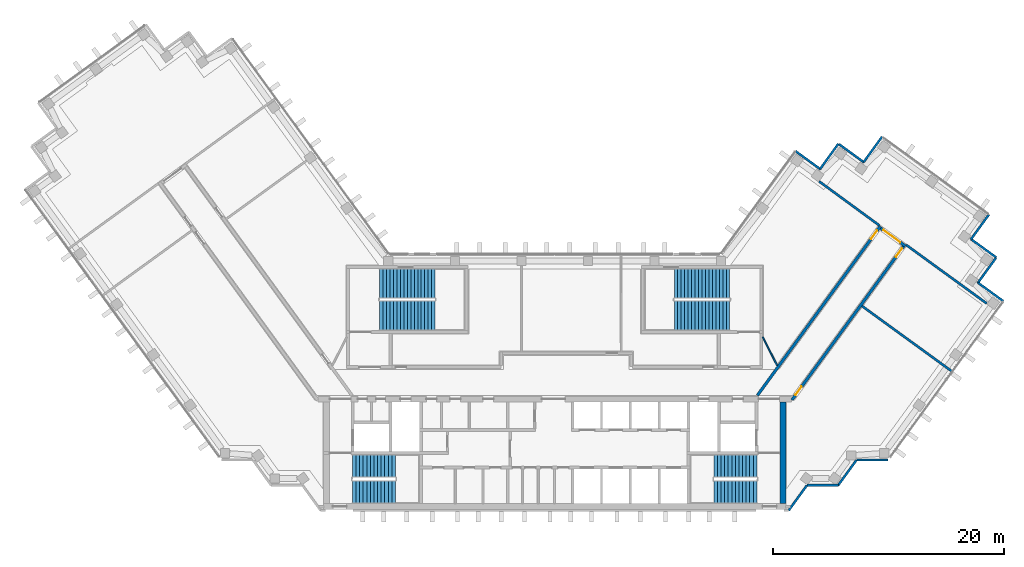
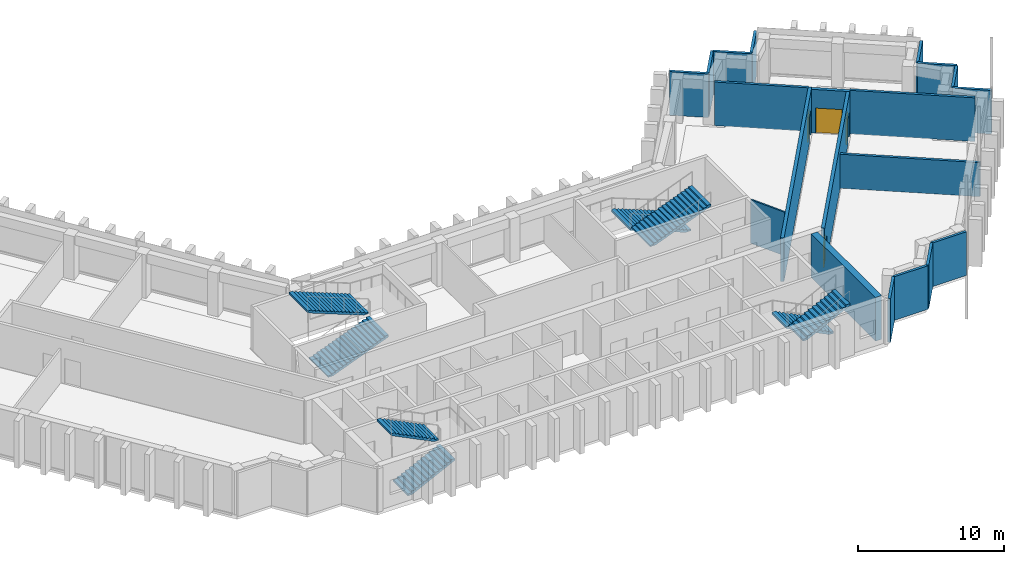
# One storey, part 7 of 9: 20 walls, 8 stair flights, 4 doors, 4 openings, 4 elements without a shape of their own.
"""IFC4 building model written with IfcOpenShell, lengths in metres."""

from ifc_helpers import new_model, si_unit, direction, frame, frame_2d, origin, place, context, subcontext, project, spatial, polyline, rectangle, outline, extrude, material, layer, layer_set, type_object, element, fill, aggregate, save


model = new_model("IFC4")

# Units and contexts
model_context = context("Model", 3, precision=1e-05, world=origin(), true_north=direction((0.0, 1.0)))
body_context = subcontext(model_context, "Body", "Model", "MODEL_VIEW")
ifc_project = project(units=[si_unit("LENGTHUNIT", "METRE"), si_unit("AREAUNIT", "SQUARE_METRE"), si_unit("VOLUMEUNIT", "CUBIC_METRE"), si_unit("PLANEANGLEUNIT", "RADIAN"), si_unit("MASSUNIT", "GRAM", prefix="KILO")], contexts=[model_context])

# Site, building, storey
site_placement = place(None, origin())
site = spatial("IfcSite", under=ifc_project, at=site_placement, CompositionType="ELEMENT")
building_placement = place(site_placement, origin())
building = spatial("IfcBuilding", under=site, at=building_placement, Name="Quipu Civic Tower", CompositionType="ELEMENT")
storey_placement = place(building_placement, frame((0.0, 0.0, 214.0)))
storey = spatial("IfcBuildingStorey", under=building, at=storey_placement, Name="L50", CompositionType="ELEMENT", Elevation=214.0)

# Walls
ifc_material_1 = material(Name="Fired clay blockwork", Category="masonry")
ifc_layer_1 = layer(ifc_material_1, 0.199951171875)
ifc_layer_set_1 = layer_set([ifc_layer_1], Name="Fired clay blockwork")
wall_type_1 = type_object("IfcWallType", Name="Blockwork wall 200", PredefinedType="SOLIDWALL", material=ifc_layer_set_1)
wall_1_placement = place(storey_placement, frame((34.40283203125, 0.937744140625, 0.0), z_axis=(0.0, 0.0, 1.0), x_axis=(-0.808990890476, 0.587821179549, 0.0)))
element("IfcWall", 1, at=wall_1_placement, inside=storey, type_object=wall_type_1, Name="Partition P06", PredefinedType="SOLIDWALL", context=body_context, shape_type="SweptSolid", body=[
    extrude(rectangle(XDim=9.651123046875, YDim=0.199951171875, at=frame_2d((4.82568359375, 0.0))), origin(), (0.0, 0.0, 1.0), 2.85009765625),
])
wall_2_placement = place(storey_placement, frame((22.884033203125, 17.400634765625, 0.0), z_axis=(0.0, 0.0, 1.0), x_axis=(0.80698686941, -0.590569380005, 0.0)))
element("IfcWall", 2, at=wall_2_placement, inside=storey, type_object=wall_type_1, Name="Partition P08", PredefinedType="SOLIDWALL", context=body_context, shape_type="SweptSolid", body=[
    extrude(rectangle(XDim=6.465087890625, YDim=0.199951171875, at=frame_2d((3.232421875, 0.0))), origin(), (0.0, 0.0, 1.0), 3.64990234375),
])
wall_3_placement = place(storey_placement, frame((30.414794921875, 11.901611328125, 0.0), z_axis=(0.0, 0.0, 1.0), x_axis=(0.809012783133, -0.587791048526, 0.0)))
element("IfcWall", 3, at=wall_3_placement, inside=storey, type_object=wall_type_1, Name="Partition P09", PredefinedType="SOLIDWALL", context=body_context, shape_type="SweptSolid", body=[
    extrude(rectangle(XDim=8.6201171875, YDim=0.199951171875, at=frame_2d((4.31005859375, 0.0))), origin(), (0.0, 0.0, 1.0), 3.64990234375),
])
ifc_material_2 = material(Name="Concrete C70/85", Category="concrete")
ifc_layer_2 = layer(ifc_material_2, 0.5)
ifc_layer_set_2 = layer_set([ifc_layer_2], Name="Concrete C70/85")
wall_type_2 = type_object("IfcWallType", Name="Core wall 500", PredefinedType="SHEAR", material=ifc_layer_set_2)
wall_4_placement = place(storey_placement, frame((19.75, -10.5, 0.0), z_axis=(0.0, 0.0, 1.0), x_axis=(0.0, 1.0, 0.0)))
element("IfcWall", 4, at=wall_4_placement, inside=storey, type_object=wall_type_2, Name="Core wall", PredefinedType="SHEAR", context=body_context, shape_type="SweptSolid", body=[
    extrude(rectangle(XDim=8.800048828125, YDim=0.5, at=frame_2d((4.39990234375, 0.0))), origin(), (0.0, 0.0, 1.0), 3.64990234375),
])

# Wall, opening, door
ifc_material_3 = material(Name="Concrete C50/60", Category="concrete")
ifc_layer_3 = layer(ifc_material_3, 0.25)
ifc_layer_set_3 = layer_set([ifc_layer_3], Name="Concrete C50/60")
wall_type_3 = type_object("IfcWallType", Name="Corridor wall 250 concrete", PredefinedType="SOLIDWALL", material=ifc_layer_set_3)
wall_5_placement = place(storey_placement, frame((17.544921875, -1.124755859375, 0.0), z_axis=(0.0, 0.0, 1.0), x_axis=(0.58779555165, 0.809009511354, 0.0)))
wall_5 = element("IfcWall", 5, at=wall_5_placement, inside=storey, type_object=wall_type_3, Name="Corridor wall C01", PredefinedType="SOLIDWALL", context=body_context, shape_type="SweptSolid", body=[
    extrude(rectangle(XDim=18.10302734375, YDim=0.25, at=frame_2d((9.051513671875, 0.0))), origin(), (0.0, 0.0, 1.0), 3.64990234375),
])
opening_1_placement = place(wall_5_placement, frame((16.72802734375, 0.0, 0.0)))
opening_1 = element("IfcOpeningElement", 6, at=opening_1_placement, cuts=wall_5, Name="Opening D001", PredefinedType="OPENING", context=body_context, shape_type="SweptSolid", body=[
    extrude(rectangle(XDim=0.89990234375, YDim=2.10009765625, at=frame_2d((0.449951171875, 1.050048828125))), frame((0.0, 0.135009765625, 0.0), z_axis=(0.0, -1.0, 0.0), x_axis=(1.0, 0.0, 0.0)), (0.0, 0.0, 1.0), 0.27001953125),
])
ifc_material_4 = material(Name="Fire rated timber door set with metal frame", Category="wood")
door_type_1 = type_object("IfcDoorType", Name="Single door 900 x 2100 FD60", OperationType="NOTDEFINED", PredefinedType="DOOR", material=ifc_material_4)
door_1_placement = place(opening_1_placement, origin())
door_1 = element("IfcDoor", 7, at=door_1_placement, inside=storey, type_object=door_type_1, Name="Door D001", OperationType="SINGLE_SWING_RIGHT", OverallHeight=2.10009765625, OverallWidth=0.89990234375, PredefinedType="DOOR", context=body_context, shape_type="SweptSolid", body=[
    extrude(rectangle(XDim=0.89990234375, YDim=2.10009765625, at=frame_2d((0.449951171875, 1.050048828125))), frame((0.0, 0.02490234375, 0.0), z_axis=(0.0, -1.0, 0.0), x_axis=(1.0, 0.0, 0.0)), (0.0, 0.0, 1.0), 0.050048828125),
])
fill(opening_1, door_1)

wall_6_placement = place(storey_placement, frame((28.21337890625, 13.34619140625, 0.0), z_axis=(0.0, 0.0, 1.0), x_axis=(0.809006914995, -0.587799125119, 0.0)))
wall_6 = element("IfcWall", 8, at=wall_6_placement, inside=storey, type_object=wall_type_3, Name="Corridor wall C02", PredefinedType="SOLIDWALL", context=body_context, shape_type="SweptSolid", body=[
    extrude(rectangle(XDim=2.64990234375, YDim=0.25, at=frame_2d((1.324951171875, 0.0))), origin(), (0.0, 0.0, 1.0), 3.64990234375),
])
opening_2_placement = place(wall_6_placement, frame((0.30029296875, 0.0, 0.0)))
opening_2 = element("IfcOpeningElement", 9, at=opening_2_placement, cuts=wall_6, Name="Opening D004", PredefinedType="OPENING", context=body_context, shape_type="SweptSolid", body=[
    extrude(rectangle(XDim=1.800048828125, YDim=2.10009765625, at=frame_2d((0.89990234375, 1.050048828125))), frame((0.0, 0.135009765625, 0.0), z_axis=(0.0, -1.0, 0.0), x_axis=(1.0, 0.0, 0.0)), (0.0, 0.0, 1.0), 0.27001953125),
])
ifc_material_5 = material(Name="Fire rated timber door set with metal frame", Category="wood")
door_type_2 = type_object("IfcDoorType", Name="Double door 1800 x 2100 FD60", OperationType="DOUBLE_DOOR_SINGLE_SWING", PredefinedType="DOOR", material=ifc_material_5)
door_2_placement = place(opening_2_placement, origin())
door_2 = element("IfcDoor", 10, at=door_2_placement, inside=storey, type_object=door_type_2, Name="Door D004", OperationType="DOUBLE_DOOR_SINGLE_SWING", OverallHeight=2.10009765625, OverallWidth=1.800048828125, PredefinedType="DOOR", context=body_context, shape_type="SweptSolid", body=[
    extrude(rectangle(XDim=1.800048828125, YDim=2.10009765625, at=frame_2d((0.89990234375, 1.050048828125))), frame((0.0, 0.02490234375, 0.0), z_axis=(0.0, -1.0, 0.0), x_axis=(1.0, 0.0, 0.0)), (0.0, 0.0, 1.0), 0.050048828125),
])
fill(opening_2, door_2)

# Wall, openings, doors
wall_7_placement = place(storey_placement, frame((30.1826171875, 11.760986328125, 0.0), z_axis=(0.0, 0.0, 1.0), x_axis=(-0.587781762867, -0.80901952958, 0.0)))
wall_7 = element("IfcWall", 11, at=wall_7_placement, inside=storey, type_object=wall_type_3, Name="Corridor wall C03", PredefinedType="SOLIDWALL", context=body_context, shape_type="SweptSolid", body=[
    extrude(rectangle(XDim=16.42041015625, YDim=0.25, at=frame_2d((8.210205078125, 0.0))), origin(), (0.0, 0.0, 1.0), 3.64990234375),
])
opening_3_placement = place(wall_7_placement, frame((14.987548828125, 0.0, 0.0)))
opening_3 = element("IfcOpeningElement", 12, at=opening_3_placement, cuts=wall_7, Name="Opening D002", PredefinedType="OPENING", context=body_context, shape_type="SweptSolid", body=[
    extrude(rectangle(XDim=0.89990234375, YDim=2.10009765625, at=frame_2d((0.449951171875, 1.050048828125))), frame((0.0, 0.135009765625, 0.0), z_axis=(0.0, -1.0, 0.0), x_axis=(1.0, 0.0, 0.0)), (0.0, 0.0, 1.0), 0.27001953125),
])
opening_4_placement = place(wall_7_placement, frame((0.224609375, 0.0, 0.0)))
opening_4 = element("IfcOpeningElement", 13, at=opening_4_placement, cuts=wall_7, Name="Opening D003", PredefinedType="OPENING", context=body_context, shape_type="SweptSolid", body=[
    extrude(rectangle(XDim=0.89990234375, YDim=2.10009765625, at=frame_2d((0.449951171875, 1.050048828125))), frame((0.0, 0.135009765625, 0.0), z_axis=(0.0, -1.0, 0.0), x_axis=(1.0, 0.0, 0.0)), (0.0, 0.0, 1.0), 0.27001953125),
])
door_3_placement = place(opening_3_placement, origin())
door_3 = element("IfcDoor", 14, at=door_3_placement, inside=storey, type_object=door_type_1, Name="Door D002", OperationType="SINGLE_SWING_RIGHT", OverallHeight=2.10009765625, OverallWidth=0.89990234375, PredefinedType="DOOR", context=body_context, shape_type="SweptSolid", body=[
    extrude(rectangle(XDim=0.89990234375, YDim=2.10009765625, at=frame_2d((0.449951171875, 1.050048828125))), frame((0.0, 0.02490234375, 0.0), z_axis=(0.0, -1.0, 0.0), x_axis=(1.0, 0.0, 0.0)), (0.0, 0.0, 1.0), 0.050048828125),
])
fill(opening_3, door_3)
door_4_placement = place(opening_4_placement, origin())
door_4 = element("IfcDoor", 15, at=door_4_placement, inside=storey, type_object=door_type_1, Name="Door D003", OperationType="SINGLE_SWING_LEFT", OverallHeight=2.10009765625, OverallWidth=0.89990234375, PredefinedType="DOOR", context=body_context, shape_type="SweptSolid", body=[
    extrude(rectangle(XDim=0.89990234375, YDim=2.10009765625, at=frame_2d((0.449951171875, 1.050048828125))), frame((0.0, 0.02490234375, 0.0), z_axis=(0.0, -1.0, 0.0), x_axis=(1.0, 0.0, 0.0)), (0.0, 0.0, 1.0), 0.050048828125),
])
fill(opening_4, door_4)

# Walls
ifc_material_6 = material(Name="Gypsum plasterboard on light gauge framing")
ifc_layer_4 = layer(ifc_material_6, 0.1201171875)
ifc_layer_set_4 = layer_set([ifc_layer_4], Name="Gypsum plasterboard on light gauge framing")
wall_type_4 = type_object("IfcWallType", Name="Partition 120 plasterboard", PredefinedType="PARTITIONING", material=ifc_layer_set_4)
wall_8_placement = place(storey_placement, frame((18.0, 3.925048828125, 0.0), z_axis=(0.0, 0.0, 1.0), x_axis=(0.453950796792, -0.891026752736, 0.0)))
element("IfcWall", 16, at=wall_8_placement, inside=storey, type_object=wall_type_4, Name="Partition P11", PredefinedType="PARTITIONING", context=body_context, shape_type="SweptSolid", body=[
    extrude(rectangle(XDim=2.77783203125, YDim=0.1201171875, at=frame_2d((1.388916015625, 0.0))), origin(), (0.0, 0.0, 1.0), 3.64990234375),
])
ifc_material_7 = material(Name="Precast concrete C40/50", Category="concrete")
wall_type_5 = type_object("IfcWallType", Name="Precast cladding wall", PredefinedType="SOLIDWALL", material=ifc_material_7)
wall_9_placement = place(storey_placement, frame((20.253173828125, -11.083251953125, 0.0), z_axis=(0.0, 0.0, 1.0), x_axis=(0.587766567315, 0.809030569476, 0.0)))
element("IfcWall", 17, at=wall_9_placement, inside=storey, type_object=wall_type_5, Name="Precast cladding wall L50 P20", PredefinedType="SOLIDWALL", context=body_context, shape_type="SweptSolid", body=[
    extrude(rectangle(XDim=2.687744140625, YDim=0.199951171875, at=frame_2d((1.34375, 0.0))), origin(), (0.0, 0.0, 1.0), 3.64990234375),
])
for number, where, z_axis, x_axis, name in (
    (18, (36.0048828125, 12.3515625, 0.0), (0.0, 0.0, 1.0), (0.587762999008, 0.809033161865, 0.0), "Precast cladding wall L50 P21"),
    (19, (28.333984375, 21.26220703125, 0.0), (0.0, 0.0, 1.0), (-0.587762999008, -0.809033161865, 0.0), "Precast cladding wall L50 P23"),
):
    element("IfcWall", number, at=place(storey_placement, frame(where, z_axis=z_axis, x_axis=x_axis)), inside=storey, type_object=wall_type_5, Name=name, PredefinedType="SOLIDWALL", context=body_context, shape_type="SweptSolid", body=[
        extrude(rectangle(XDim=2.699951171875, YDim=0.199951171875, at=frame_2d((1.35009765625, 0.0))), origin(), (0.0, 0.0, 1.0), 3.64990234375),
    ])
wall_10_placement = place(storey_placement, frame((26.78466796875, 19.03564453125, 0.0), z_axis=(0.0, 0.0, 1.0), x_axis=(-0.809064397168, 0.587720002413, 0.0)))
element("IfcWall", 20, at=wall_10_placement, inside=storey, type_object=wall_type_5, Name="Precast cladding wall L50 P24", PredefinedType="SOLIDWALL", context=body_context, shape_type="SweptSolid", body=[
    extrude(rectangle(XDim=2.7001953125, YDim=0.199951171875, at=frame_2d((1.35009765625, 0.0))), origin(), (0.0, 0.0, 1.0), 3.64990234375),
])
for number, where, z_axis, x_axis, name in (
    (21, (24.562744140625, 20.664794921875, 0.0), (0.0, 0.0, 1.0), (-0.587822180636, -0.808990163075, 0.0), "Precast cladding wall L50 P25"),
    (22, (23.01318359375, 18.438232421875, 0.0), (0.0, 0.0, 1.0), (-0.808990163075, 0.587822180636, 0.0), "Precast cladding wall L50 P26"),
    (23, (21.8427734375, -8.90380859375, 0.0), (0.0, 0.0, 1.0), (1.0, 0.0, 0.0), "Precast cladding wall L50 P33"),
):
    element("IfcWall", number, at=place(storey_placement, frame(where, z_axis=z_axis, x_axis=x_axis)), inside=storey, type_object=wall_type_5, Name=name, PredefinedType="SOLIDWALL", context=body_context, shape_type="SweptSolid", body=[
        extrude(rectangle(XDim=2.699951171875, YDim=0.199951171875, at=frame_2d((1.35009765625, 0.0))), origin(), (0.0, 0.0, 1.0), 3.64990234375),
    ])
wall_11_placement = place(storey_placement, frame((24.533203125, -8.90869140625, 0.0), z_axis=(0.0, 0.0, 1.0), x_axis=(0.587720002413, 0.809064397168, 0.0)))
element("IfcWall", 24, at=wall_11_placement, inside=storey, type_object=wall_type_5, Name="Precast cladding wall L50 P34", PredefinedType="SOLIDWALL", context=body_context, shape_type="SweptSolid", body=[
    extrude(rectangle(XDim=2.7001953125, YDim=0.199951171875, at=frame_2d((1.35009765625, 0.0))), origin(), (0.0, 0.0, 1.0), 3.64990234375),
])
for number, where, z_axis, x_axis, name in (
    (25, (26.1298828125, -6.71923828125, 0.0), (0.0, 0.0, 1.0), (1.0, 0.0, 0.0), "Precast cladding wall L50 P35"),
    (26, (38.82861328125, 7.031005859375, 0.0), (0.0, 0.0, 1.0), (-0.808990163075, 0.587822180636, 0.0), "Precast cladding wall L50 1"),
    (27, (36.60205078125, 8.580322265625, 0.0), (0.0, 0.0, 1.0), (0.587822180636, 0.808990163075, 0.0), "Precast cladding wall L50 2"),
    (28, (38.231201171875, 10.80224609375, 0.0), (0.0, 0.0, 1.0), (-0.808958916286, 0.58786518162, 0.0), "Precast cladding wall L50 3"),
):
    element("IfcWall", number, at=place(storey_placement, frame(where, z_axis=z_axis, x_axis=x_axis)), inside=storey, type_object=wall_type_5, Name=name, PredefinedType="SOLIDWALL", context=body_context, shape_type="SweptSolid", body=[
        extrude(rectangle(XDim=2.699951171875, YDim=0.199951171875, at=frame_2d((1.35009765625, 0.0))), origin(), (0.0, 0.0, 1.0), 3.64990234375),
    ])

# Stair, stair flights
ifc_material_8 = material(Name="Concrete C40/50", Category="concrete")
stair_type_1 = type_object("IfcStairType", Name="Half turn stair 2000", PredefinedType="HALF_TURN_STAIR", material=ifc_material_8)
stair_1_placement = place(storey_placement, origin())
stair_1 = element("IfcStair", 29, at=stair_1_placement, inside=storey, type_object=stair_type_1, Name="Exit stair 1", PredefinedType="HALF_TURN_STAIR")
ifc_material_9 = material(Name="Concrete C40/50", Category="concrete")
stair_flight_type_1 = type_object("IfcStairFlightType", Name="Stair flight 2000", PredefinedType="STRAIGHT", material=ifc_material_9)
stair_flight_1_placement = place(storey_placement, frame((-17.5, -9.5, 0.0), z_axis=(0.0, 0.0, 1.0), x_axis=(1.0, 0.0, 0.0)))
stair_flight_1 = element("IfcStairFlight", 30, at=stair_flight_1_placement, type_object=stair_flight_type_1, Name="ST-1 flight 1", NumberOfRisers=13, NumberOfTreads=12, PredefinedType="STRAIGHT", RiserHeight=0.153846154, TreadLength=0.31, context=body_context, shape_type="SweptSolid", body=[
    extrude(outline(polyline([(0.0, 0.0), (0.0, 0.15380859375), (0.31005859375, 0.15380859375), (0.31005859375, 0.3076171875), (0.6201171875, 0.3076171875), (0.6201171875, 0.46142578125), (0.929931640625, 0.46142578125), (0.929931640625, 0.615478515625), (1.239990234375, 0.615478515625), (1.239990234375, 0.769287109375), (1.550048828125, 0.769287109375), (1.550048828125, 0.923095703125), (1.860107421875, 0.923095703125), (1.860107421875, 1.076904296875), (2.169921875, 1.076904296875), (2.169921875, 1.230712890625), (2.47998046875, 1.230712890625), (2.47998046875, 1.384521484375), (2.7900390625, 1.384521484375), (2.7900390625, 1.53857421875), (3.10009765625, 1.53857421875), (3.10009765625, 1.6923828125), (3.409912109375, 1.6923828125), (3.409912109375, 1.84619140625), (3.719970703125, 1.84619140625), (3.719970703125, 2.0), (3.719970703125, 1.6787109375), (0.337158203125, 0.0), (0.0, 0.0)])), frame((0.0, 1.0, 0.0), z_axis=(0.0, -1.0, 0.0), x_axis=(1.0, 0.0, 0.0)), (0.0, 0.0, 1.0), 2.0),
])
stair_flight_2_placement = place(storey_placement, frame((-13.780029296875, -7.25, 2.0), z_axis=(0.0, 0.0, 1.0), x_axis=(-1.0, 0.0, 0.0)))
stair_flight_2 = element("IfcStairFlight", 31, at=stair_flight_2_placement, type_object=stair_flight_type_1, Name="ST-1 flight 2", NumberOfRisers=13, NumberOfTreads=12, PredefinedType="STRAIGHT", RiserHeight=0.153846154, TreadLength=0.31, context=body_context, shape_type="SweptSolid", body=[
    extrude(outline(polyline([(0.0, 0.0), (0.0, 0.15380859375), (0.31005859375, 0.15380859375), (0.31005859375, 0.3076171875), (0.6201171875, 0.3076171875), (0.6201171875, 0.46142578125), (0.929931640625, 0.46142578125), (0.929931640625, 0.615478515625), (1.239990234375, 0.615478515625), (1.239990234375, 0.769287109375), (1.550048828125, 0.769287109375), (1.550048828125, 0.923095703125), (1.860107421875, 0.923095703125), (1.860107421875, 1.076904296875), (2.169921875, 1.076904296875), (2.169921875, 1.230712890625), (2.47998046875, 1.230712890625), (2.47998046875, 1.384521484375), (2.7900390625, 1.384521484375), (2.7900390625, 1.53857421875), (3.10009765625, 1.53857421875), (3.10009765625, 1.6923828125), (3.409912109375, 1.6923828125), (3.409912109375, 1.84619140625), (3.719970703125, 1.84619140625), (3.719970703125, 2.0), (3.719970703125, 1.6787109375), (0.337158203125, 0.0), (0.0, 0.0)])), frame((0.0, 1.0, 0.0), z_axis=(0.0, -1.0, 0.0), x_axis=(1.0, 0.0, 0.0)), (0.0, 0.0, 1.0), 2.0),
])
aggregate(stair_1, [stair_flight_1, stair_flight_2])

stair_2_placement = place(storey_placement, origin())
stair_2 = element("IfcStair", 32, at=stair_2_placement, inside=storey, type_object=stair_type_1, Name="Exit stair 2", PredefinedType="HALF_TURN_STAIR")
stair_flight_3_placement = place(storey_placement, frame((17.5, -7.25, 0.0), z_axis=(0.0, 0.0, 1.0), x_axis=(-1.0, 0.0, 0.0)))
stair_flight_3 = element("IfcStairFlight", 33, at=stair_flight_3_placement, type_object=stair_flight_type_1, Name="ST-2 flight 1", NumberOfRisers=13, NumberOfTreads=12, PredefinedType="STRAIGHT", RiserHeight=0.153846154, TreadLength=0.31, context=body_context, shape_type="SweptSolid", body=[
    extrude(outline(polyline([(0.0, 0.0), (0.0, 0.15380859375), (0.31005859375, 0.15380859375), (0.31005859375, 0.3076171875), (0.6201171875, 0.3076171875), (0.6201171875, 0.46142578125), (0.929931640625, 0.46142578125), (0.929931640625, 0.615478515625), (1.239990234375, 0.615478515625), (1.239990234375, 0.769287109375), (1.550048828125, 0.769287109375), (1.550048828125, 0.923095703125), (1.860107421875, 0.923095703125), (1.860107421875, 1.076904296875), (2.169921875, 1.076904296875), (2.169921875, 1.230712890625), (2.47998046875, 1.230712890625), (2.47998046875, 1.384521484375), (2.7900390625, 1.384521484375), (2.7900390625, 1.53857421875), (3.10009765625, 1.53857421875), (3.10009765625, 1.6923828125), (3.409912109375, 1.6923828125), (3.409912109375, 1.84619140625), (3.719970703125, 1.84619140625), (3.719970703125, 2.0), (3.719970703125, 1.6787109375), (0.337158203125, 0.0), (0.0, 0.0)])), frame((0.0, 1.0, 0.0), z_axis=(0.0, -1.0, 0.0), x_axis=(1.0, 0.0, 0.0)), (0.0, 0.0, 1.0), 2.0),
])
stair_flight_4_placement = place(storey_placement, frame((13.780029296875, -9.5, 2.0), z_axis=(0.0, 0.0, 1.0), x_axis=(1.0, 0.0, 0.0)))
stair_flight_4 = element("IfcStairFlight", 34, at=stair_flight_4_placement, type_object=stair_flight_type_1, Name="ST-2 flight 2", NumberOfRisers=13, NumberOfTreads=12, PredefinedType="STRAIGHT", RiserHeight=0.153846154, TreadLength=0.31, context=body_context, shape_type="SweptSolid", body=[
    extrude(outline(polyline([(0.0, 0.0), (0.0, 0.15380859375), (0.31005859375, 0.15380859375), (0.31005859375, 0.3076171875), (0.6201171875, 0.3076171875), (0.6201171875, 0.46142578125), (0.929931640625, 0.46142578125), (0.929931640625, 0.615478515625), (1.239990234375, 0.615478515625), (1.239990234375, 0.769287109375), (1.550048828125, 0.769287109375), (1.550048828125, 0.923095703125), (1.860107421875, 0.923095703125), (1.860107421875, 1.076904296875), (2.169921875, 1.076904296875), (2.169921875, 1.230712890625), (2.47998046875, 1.230712890625), (2.47998046875, 1.384521484375), (2.7900390625, 1.384521484375), (2.7900390625, 1.53857421875), (3.10009765625, 1.53857421875), (3.10009765625, 1.6923828125), (3.409912109375, 1.6923828125), (3.409912109375, 1.84619140625), (3.719970703125, 1.84619140625), (3.719970703125, 2.0), (3.719970703125, 1.6787109375), (0.337158203125, 0.0), (0.0, 0.0)])), frame((0.0, 1.0, 0.0), z_axis=(0.0, -1.0, 0.0), x_axis=(1.0, 0.0, 0.0)), (0.0, 0.0, 1.0), 2.0),
])
aggregate(stair_2, [stair_flight_3, stair_flight_4])

ifc_material_10 = material(Name="Concrete C40/50", Category="concrete")
stair_type_2 = type_object("IfcStairType", Name="Half turn stair 2600", PredefinedType="HALF_TURN_STAIR", material=ifc_material_10)
stair_3_placement = place(storey_placement, origin())
stair_3 = element("IfcStair", 35, at=stair_3_placement, inside=storey, type_object=stair_type_2, Name="Exit stair 3", PredefinedType="HALF_TURN_STAIR")
ifc_material_11 = material(Name="Concrete C40/50", Category="concrete")
stair_flight_type_2 = type_object("IfcStairFlightType", Name="Stair flight 2600", PredefinedType="STRAIGHT", material=ifc_material_11)
stair_flight_5_placement = place(storey_placement, frame((-15.14990234375, 5.800048828125, 0.0), z_axis=(0.0, 0.0, 1.0), x_axis=(1.0, 0.0, 0.0)))
stair_flight_5 = element("IfcStairFlight", 36, at=stair_flight_5_placement, type_object=stair_flight_type_2, Name="ST-3 flight 1", NumberOfRisers=17, NumberOfTreads=16, PredefinedType="STRAIGHT", RiserHeight=0.117647059, TreadLength=0.3, context=body_context, shape_type="SweptSolid", body=[
    extrude(outline(polyline([(0.0, 0.0), (0.0, 0.11767578125), (0.300048828125, 0.11767578125), (0.300048828125, 0.2353515625), (0.60009765625, 0.2353515625), (0.60009765625, 0.35302734375), (0.89990234375, 0.35302734375), (0.89990234375, 0.470703125), (1.199951171875, 0.470703125), (1.199951171875, 0.588134765625), (1.5, 0.588134765625), (1.5, 0.705810546875), (1.800048828125, 0.705810546875), (1.800048828125, 0.823486328125), (2.10009765625, 0.823486328125), (2.10009765625, 0.941162109375), (2.39990234375, 0.941162109375), (2.39990234375, 1.058837890625), (2.699951171875, 1.058837890625), (2.699951171875, 1.176513671875), (3.0, 1.176513671875), (3.0, 1.294189453125), (3.300048828125, 1.294189453125), (3.300048828125, 1.411865234375), (3.60009765625, 1.411865234375), (3.60009765625, 1.529296875), (3.89990234375, 1.529296875), (3.89990234375, 1.64697265625), (4.199951171875, 1.64697265625), (4.199951171875, 1.7646484375), (4.5, 1.7646484375), (4.5, 1.88232421875), (4.800048828125, 1.88232421875), (4.800048828125, 2.0), (4.800048828125, 1.721435546875), (0.41064453125, 0.0), (0.0, 0.0)])), frame((0.0, 1.300048828125, 0.0), z_axis=(0.0, -1.0, 0.0), x_axis=(1.0, 0.0, 0.0)), (0.0, 0.0, 1.0), 2.60009765625),
])
stair_flight_6_placement = place(storey_placement, frame((-10.35009765625, 8.550048828125, 2.0), z_axis=(0.0, 0.0, 1.0), x_axis=(-1.0, 0.0, 0.0)))
stair_flight_6 = element("IfcStairFlight", 37, at=stair_flight_6_placement, type_object=stair_flight_type_2, Name="ST-3 flight 2", NumberOfRisers=17, NumberOfTreads=16, PredefinedType="STRAIGHT", RiserHeight=0.117647059, TreadLength=0.3, context=body_context, shape_type="SweptSolid", body=[
    extrude(outline(polyline([(0.0, 0.0), (0.0, 0.11767578125), (0.300048828125, 0.11767578125), (0.300048828125, 0.2353515625), (0.60009765625, 0.2353515625), (0.60009765625, 0.35302734375), (0.89990234375, 0.35302734375), (0.89990234375, 0.470703125), (1.199951171875, 0.470703125), (1.199951171875, 0.588134765625), (1.5, 0.588134765625), (1.5, 0.705810546875), (1.800048828125, 0.705810546875), (1.800048828125, 0.823486328125), (2.10009765625, 0.823486328125), (2.10009765625, 0.941162109375), (2.39990234375, 0.941162109375), (2.39990234375, 1.058837890625), (2.699951171875, 1.058837890625), (2.699951171875, 1.176513671875), (3.0, 1.176513671875), (3.0, 1.294189453125), (3.300048828125, 1.294189453125), (3.300048828125, 1.411865234375), (3.60009765625, 1.411865234375), (3.60009765625, 1.529296875), (3.89990234375, 1.529296875), (3.89990234375, 1.64697265625), (4.199951171875, 1.64697265625), (4.199951171875, 1.7646484375), (4.5, 1.7646484375), (4.5, 1.88232421875), (4.800048828125, 1.88232421875), (4.800048828125, 2.0), (4.800048828125, 1.721435546875), (0.41064453125, 0.0), (0.0, 0.0)])), frame((0.0, 1.300048828125, 0.0), z_axis=(0.0, -1.0, 0.0), x_axis=(1.0, 0.0, 0.0)), (0.0, 0.0, 1.0), 2.60009765625),
])
aggregate(stair_3, [stair_flight_5, stair_flight_6])

stair_4_placement = place(storey_placement, origin())
stair_4 = element("IfcStair", 38, at=stair_4_placement, inside=storey, type_object=stair_type_2, Name="Exit stair 4", PredefinedType="HALF_TURN_STAIR")
stair_flight_7_placement = place(storey_placement, frame((15.14990234375, 8.550048828125, 0.0), z_axis=(0.0, 0.0, 1.0), x_axis=(-1.0, 0.0, 0.0)))
stair_flight_7 = element("IfcStairFlight", 39, at=stair_flight_7_placement, type_object=stair_flight_type_2, Name="ST-4 flight 1", NumberOfRisers=17, NumberOfTreads=16, PredefinedType="STRAIGHT", RiserHeight=0.117647059, TreadLength=0.3, context=body_context, shape_type="SweptSolid", body=[
    extrude(outline(polyline([(0.0, 0.0), (0.0, 0.11767578125), (0.300048828125, 0.11767578125), (0.300048828125, 0.2353515625), (0.60009765625, 0.2353515625), (0.60009765625, 0.35302734375), (0.89990234375, 0.35302734375), (0.89990234375, 0.470703125), (1.199951171875, 0.470703125), (1.199951171875, 0.588134765625), (1.5, 0.588134765625), (1.5, 0.705810546875), (1.800048828125, 0.705810546875), (1.800048828125, 0.823486328125), (2.10009765625, 0.823486328125), (2.10009765625, 0.941162109375), (2.39990234375, 0.941162109375), (2.39990234375, 1.058837890625), (2.699951171875, 1.058837890625), (2.699951171875, 1.176513671875), (3.0, 1.176513671875), (3.0, 1.294189453125), (3.300048828125, 1.294189453125), (3.300048828125, 1.411865234375), (3.60009765625, 1.411865234375), (3.60009765625, 1.529296875), (3.89990234375, 1.529296875), (3.89990234375, 1.64697265625), (4.199951171875, 1.64697265625), (4.199951171875, 1.7646484375), (4.5, 1.7646484375), (4.5, 1.88232421875), (4.800048828125, 1.88232421875), (4.800048828125, 2.0), (4.800048828125, 1.721435546875), (0.41064453125, 0.0), (0.0, 0.0)])), frame((0.0, 1.300048828125, 0.0), z_axis=(0.0, -1.0, 0.0), x_axis=(1.0, 0.0, 0.0)), (0.0, 0.0, 1.0), 2.60009765625),
])
stair_flight_8_placement = place(storey_placement, frame((10.35009765625, 5.800048828125, 2.0), z_axis=(0.0, 0.0, 1.0), x_axis=(1.0, 0.0, 0.0)))
stair_flight_8 = element("IfcStairFlight", 40, at=stair_flight_8_placement, type_object=stair_flight_type_2, Name="ST-4 flight 2", NumberOfRisers=17, NumberOfTreads=16, PredefinedType="STRAIGHT", RiserHeight=0.117647059, TreadLength=0.3, context=body_context, shape_type="SweptSolid", body=[
    extrude(outline(polyline([(0.0, 0.0), (0.0, 0.11767578125), (0.300048828125, 0.11767578125), (0.300048828125, 0.2353515625), (0.60009765625, 0.2353515625), (0.60009765625, 0.35302734375), (0.89990234375, 0.35302734375), (0.89990234375, 0.470703125), (1.199951171875, 0.470703125), (1.199951171875, 0.588134765625), (1.5, 0.588134765625), (1.5, 0.705810546875), (1.800048828125, 0.705810546875), (1.800048828125, 0.823486328125), (2.10009765625, 0.823486328125), (2.10009765625, 0.941162109375), (2.39990234375, 0.941162109375), (2.39990234375, 1.058837890625), (2.699951171875, 1.058837890625), (2.699951171875, 1.176513671875), (3.0, 1.176513671875), (3.0, 1.294189453125), (3.300048828125, 1.294189453125), (3.300048828125, 1.411865234375), (3.60009765625, 1.411865234375), (3.60009765625, 1.529296875), (3.89990234375, 1.529296875), (3.89990234375, 1.64697265625), (4.199951171875, 1.64697265625), (4.199951171875, 1.7646484375), (4.5, 1.7646484375), (4.5, 1.88232421875), (4.800048828125, 1.88232421875), (4.800048828125, 2.0), (4.800048828125, 1.721435546875), (0.41064453125, 0.0), (0.0, 0.0)])), frame((0.0, 1.300048828125, 0.0), z_axis=(0.0, -1.0, 0.0), x_axis=(1.0, 0.0, 0.0)), (0.0, 0.0, 1.0), 2.60009765625),
])
aggregate(stair_4, [stair_flight_7, stair_flight_8])

save(model, "model.ifc")
